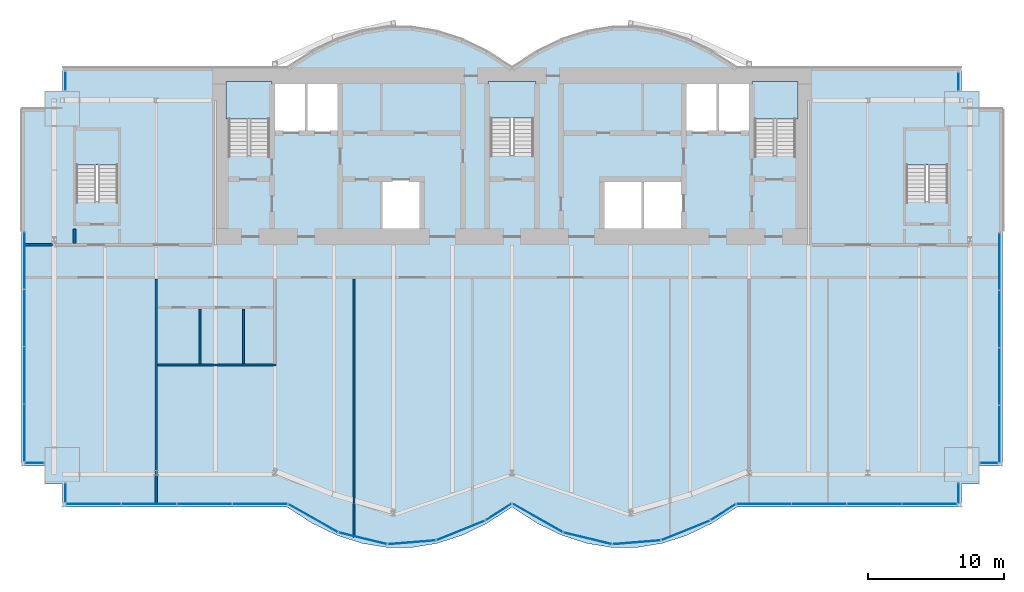
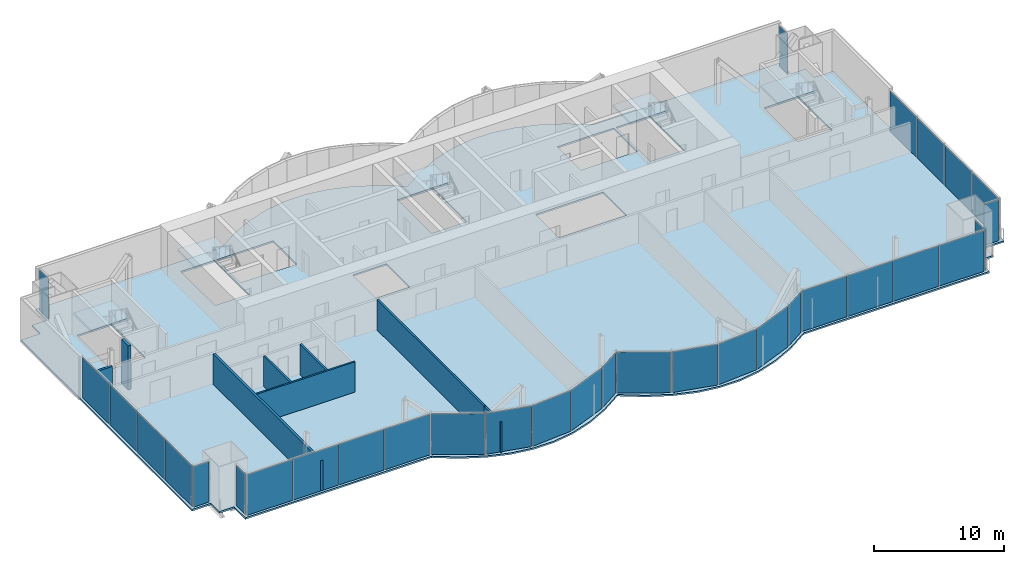
# One storey, part 13 of 20: 32 plates, 8 walls, 6 slabs, 17 elements without a shape of their own.
"""IFC4 building model written with IfcOpenShell, lengths in metres."""

from ifc_helpers import new_model, si_unit, direction, frame, frame_2d, origin, origin_2d, place, context, subcontext, project, spatial, polyline, rectangle, outline, extrude, material, layer, layer_set, type_object, element, aggregate, save


model = new_model("IFC4")

# Units and contexts
model_context = context("Model", 3, precision=1e-05, world=origin(), true_north=direction((0.0, 1.0)))
body_context = subcontext(model_context, "Body", "Model", "MODEL_VIEW")
ifc_project = project(units=[si_unit("LENGTHUNIT", "METRE"), si_unit("AREAUNIT", "SQUARE_METRE"), si_unit("VOLUMEUNIT", "CUBIC_METRE"), si_unit("PLANEANGLEUNIT", "RADIAN"), si_unit("MASSUNIT", "GRAM", prefix="KILO")], contexts=[model_context])

# Site, building, storey
site_placement = place(None, origin())
site = spatial("IfcSite", under=ifc_project, at=site_placement, CompositionType="ELEMENT")
building_placement = place(site_placement, origin())
building = spatial("IfcBuilding", under=site, at=building_placement, Name="Bicima Exchange Tower", CompositionType="ELEMENT")
storey_placement = place(building_placement, frame((0.0, 0.0, 207.300048828125)))
storey = spatial("IfcBuildingStorey", under=building, at=storey_placement, Name="L46", CompositionType="ELEMENT", Elevation=207.300048828125)

# Slab
ifc_material_1 = material(Name="Concrete C40/50", Category="concrete")
ifc_layer_1 = layer(ifc_material_1, 0.14990234375)
ifc_layer_set_1 = layer_set([ifc_layer_1], Name="Concrete C40/50")
slab_type_1 = type_object("IfcSlabType", Name="Composite floor slab 150", PredefinedType="FLOOR", material=ifc_layer_set_1)
slab_1_placement = place(storey_placement, frame((0.0, 0.0, -0.150146484375)))
element("IfcSlab", 1, at=slab_1_placement, inside=storey, type_object=slab_type_1, Name="Floor slab", PredefinedType="FLOOR", context=body_context, shape_type="SweptSolid", body=[
    extrude(outline(polyline([(-36.0, -29.239990234375), (-36.0, -3.0), (-34.300048828125, -3.0), (-34.300048828125, -1.699951171875), (-33.0, -1.699951171875), (-33.0, 0.0), (-16.5, 0.0), (-14.666748046875, 1.185302734375), (-12.833251953125, 2.07421875), (-11.0, 2.666748046875), (-9.166748046875, 2.962890625), (-7.333251953125, 2.962890625), (-5.5, 2.666748046875), (-3.666748046875, 2.07421875), (-1.833251953125, 1.185302734375), (0.0, 0.0), (1.833251953125, 1.185302734375), (3.666748046875, 2.07421875), (5.5, 2.666748046875), (7.333251953125, 2.962890625), (9.166748046875, 2.962890625), (11.0, 2.666748046875), (12.833251953125, 2.07421875), (14.666748046875, 1.185302734375), (16.5, 0.0), (33.0, 0.0), (33.0, -1.699951171875), (34.300048828125, -1.699951171875), (34.300048828125, -3.0), (36.0, -3.0), (36.0, -29.239990234375), (34.300048828125, -29.239990234375), (34.300048828125, -30.5400390625), (33.0, -30.5400390625), (33.0, -32.239990234375), (16.5, -32.239990234375), (14.666748046875, -33.42529296875), (12.833251953125, -34.314208984375), (11.0, -34.90673828125), (9.166748046875, -35.202880859375), (7.333251953125, -35.202880859375), (5.5, -34.90673828125), (3.666748046875, -34.314208984375), (1.833251953125, -33.42529296875), (0.0, -32.239990234375), (-1.833251953125, -33.42529296875), (-3.666748046875, -34.314208984375), (-5.5, -34.90673828125), (-7.333251953125, -35.202880859375), (-9.166748046875, -35.202880859375), (-11.0, -34.90673828125), (-12.833251953125, -34.314208984375), (-14.666748046875, -33.42529296875), (-16.5, -32.239990234375), (-33.0, -32.239990234375), (-33.0, -30.5400390625), (-34.300048828125, -30.5400390625), (-34.300048828125, -29.239990234375), (-36.0, -29.239990234375)]), holes=[polyline([(-6.60009765625, -11.800048828125), (-6.60009765625, -8.199951171875), (-9.60009765625, -8.199951171875), (-9.60009765625, -11.800048828125), (-6.60009765625, -11.800048828125)]), polyline([(-31.97509765625, -9.824951171875), (-28.925048828125, -9.824951171875), (-28.925048828125, -4.625), (-31.97509765625, -4.625), (-31.97509765625, -9.824951171875)]), polyline([(-20.800048828125, -6.449951171875), (-17.800048828125, -6.449951171875), (-17.800048828125, -1.199951171875), (-20.800048828125, -1.199951171875), (-20.800048828125, -6.449951171875)]), polyline([(1.574951171875, -6.39990234375), (1.574951171875, -1.199951171875), (-1.574951171875, -1.199951171875), (-1.574951171875, -6.39990234375), (1.574951171875, -6.39990234375)]), polyline([(-12.60009765625, -4.800048828125), (-12.60009765625, -1.199951171875), (-15.10009765625, -1.199951171875), (-17.60009765625, -1.199951171875), (-17.60009765625, -4.800048828125), (-15.10009765625, -4.800048828125), (-12.60009765625, -4.800048828125)]), polyline([(12.60009765625, -8.199951171875), (9.60009765625, -8.199951171875), (6.60009765625, -8.199951171875), (6.60009765625, -11.800048828125), (9.60009765625, -11.800048828125), (12.60009765625, -11.800048828125), (12.60009765625, -8.199951171875)]), polyline([(28.925048828125, -9.824951171875), (31.97509765625, -9.824951171875), (31.97509765625, -4.625), (28.925048828125, -4.625), (28.925048828125, -9.824951171875)]), polyline([(20.800048828125, -6.449951171875), (20.800048828125, -1.199951171875), (17.800048828125, -1.199951171875), (17.800048828125, -6.449951171875), (20.800048828125, -6.449951171875)]), polyline([(17.60009765625, -4.800048828125), (17.60009765625, -1.199951171875), (15.10009765625, -1.199951171875), (12.60009765625, -1.199951171875), (12.60009765625, -4.800048828125), (15.10009765625, -4.800048828125), (17.60009765625, -4.800048828125)])]), origin(), (0.0, 0.0, 1.0), 0.150146484375),
])

# Curtain wall, plate
ifc_material_2 = material(Name="Anodised bronze aluminium", Category="aluminium")
curtain_wall_type_1 = type_object("IfcCurtainWallType", Name="End face glass wall", PredefinedType="NOTDEFINED", material=ifc_material_2)
curtain_wall_1_placement = place(storey_placement, origin())
curtain_wall_1 = element("IfcCurtainWall", 2, at=curtain_wall_1_placement, inside=storey, type_object=curtain_wall_type_1, Name="End face glass wall L46 run 2", PredefinedType="NOTDEFINED")
ifc_material_3 = material(Name="Bronze tinted glass", Category="glass")
ifc_layer_2 = layer(ifc_material_3, 0.031982421875)
ifc_layer_set_2 = layer_set([ifc_layer_2], Name="Bronze tinted glass")
plate_type_1 = type_object("IfcPlateType", Name="End face glass wall glass panel 32", PredefinedType="CURTAIN_PANEL", material=ifc_layer_set_2)
plate_1_placement = place(storey_placement, frame((-35.77001953125, -26.791259765625, 0.0), z_axis=(0.0, 0.0, 1.0), x_axis=(0.0, -1.0, 0.0)))
plate_1 = element("IfcPlate", 3, at=plate_1_placement, type_object=plate_type_1, Name="End face glass wall panel 4.1", PredefinedType="CURTAIN_PANEL", context=body_context, shape_type="SweptSolid", body=[
    extrude(rectangle(XDim=4.157470703125, YDim=0.031982421875, at=origin_2d()), origin(), (0.0, 0.0, 1.0), 3.81005859375),
])

curtain_wall_2_placement = place(storey_placement, origin())
curtain_wall_2 = element("IfcCurtainWall", 4, at=curtain_wall_2_placement, inside=storey, type_object=curtain_wall_type_1, Name="End face glass wall L46 run 19", PredefinedType="NOTDEFINED")
plate_2_placement = place(storey_placement, frame((35.77001953125, -26.871337890625, 0.0), z_axis=(0.0, 0.0, 1.0), x_axis=(0.0, 1.0, 0.0)))
plate_2 = element("IfcPlate", 5, at=plate_2_placement, type_object=plate_type_1, Name="End face glass wall panel 1.1", PredefinedType="CURTAIN_PANEL", context=body_context, shape_type="SweptSolid", body=[
    extrude(rectangle(XDim=4.157470703125, YDim=0.031982421875, at=origin_2d()), origin(), (0.0, 0.0, 1.0), 3.81005859375),
])

# Plate
ifc_material_4 = material(Name="Bronze anodised aluminium", Category="aluminium")
ifc_layer_3 = layer(ifc_material_4, 0.031982421875)
ifc_layer_set_3 = layer_set([ifc_layer_3], Name="Bronze anodised aluminium")
plate_type_2 = type_object("IfcPlateType", Name="End face glass wall spandrel panel 32", PredefinedType="CURTAIN_PANEL", material=ifc_layer_set_3)
plate_3_placement = place(storey_placement, frame((-35.77001953125, -14.138671875, 0.0), z_axis=(0.0, 0.0, 1.0), x_axis=(0.0, -1.0, 0.0)))
plate_3 = element("IfcPlate", 6, at=plate_3_placement, type_object=plate_type_2, Name="End face spandrel wall panel 1.1", PredefinedType="CURTAIN_PANEL", context=body_context, shape_type="SweptSolid", body=[
    extrude(rectangle(XDim=4.157470703125, YDim=0.031982421875, at=origin_2d()), origin(), (0.0, 0.0, 1.0), 3.81005859375),
])

plate_4_placement = place(storey_placement, frame((-35.77001953125, -18.356201171875, 0.0), z_axis=(0.0, 0.0, 1.0), x_axis=(0.0, -1.0, 0.0)))
plate_4 = element("IfcPlate", 7, at=plate_4_placement, type_object=plate_type_2, Name="End face spandrel wall panel 2.1", PredefinedType="CURTAIN_PANEL", context=body_context, shape_type="SweptSolid", body=[
    extrude(rectangle(XDim=4.157470703125, YDim=0.031982421875, at=origin_2d()), origin(), (0.0, 0.0, 1.0), 3.81005859375),
])

plate_5_placement = place(storey_placement, frame((-35.77001953125, -22.57373046875, 0.0), z_axis=(0.0, 0.0, 1.0), x_axis=(0.0, -1.0, 0.0)))
plate_5 = element("IfcPlate", 8, at=plate_5_placement, type_object=plate_type_2, Name="End face spandrel wall panel 3.1", PredefinedType="CURTAIN_PANEL", context=body_context, shape_type="SweptSolid", body=[
    extrude(rectangle(XDim=4.157470703125, YDim=0.031982421875, at=origin_2d()), origin(), (0.0, 0.0, 1.0), 3.81005859375),
])

aggregate(curtain_wall_1, [plate_3, plate_4, plate_5, plate_1])

plate_6_placement = place(storey_placement, frame((35.77001953125, -22.65380859375, 0.0), z_axis=(0.0, 0.0, 1.0), x_axis=(0.0, 1.0, 0.0)))
plate_6 = element("IfcPlate", 9, at=plate_6_placement, type_object=plate_type_2, Name="End face spandrel wall panel 2.1", PredefinedType="CURTAIN_PANEL", context=body_context, shape_type="SweptSolid", body=[
    extrude(rectangle(XDim=4.157470703125, YDim=0.031982421875, at=origin_2d()), origin(), (0.0, 0.0, 1.0), 3.81005859375),
])

plate_7_placement = place(storey_placement, frame((35.77001953125, -18.436279296875, 0.0), z_axis=(0.0, 0.0, 1.0), x_axis=(0.0, 1.0, 0.0)))
plate_7 = element("IfcPlate", 10, at=plate_7_placement, type_object=plate_type_2, Name="End face spandrel wall panel 3.1", PredefinedType="CURTAIN_PANEL", context=body_context, shape_type="SweptSolid", body=[
    extrude(rectangle(XDim=4.157470703125, YDim=0.031982421875, at=origin_2d()), origin(), (0.0, 0.0, 1.0), 3.81005859375),
])

plate_8_placement = place(storey_placement, frame((35.77001953125, -14.21875, 0.0), z_axis=(0.0, 0.0, 1.0), x_axis=(0.0, 1.0, 0.0)))
plate_8 = element("IfcPlate", 11, at=plate_8_placement, type_object=plate_type_2, Name="End face spandrel wall panel 4.1", PredefinedType="CURTAIN_PANEL", context=body_context, shape_type="SweptSolid", body=[
    extrude(rectangle(XDim=4.157470703125, YDim=0.031982421875, at=origin_2d()), origin(), (0.0, 0.0, 1.0), 3.81005859375),
])

aggregate(curtain_wall_2, [plate_2, plate_6, plate_7, plate_8])

# Curtain wall, plate
curtain_wall_type_2 = type_object("IfcCurtainWallType", Name="Front glass wall", PredefinedType="NOTDEFINED", material=ifc_material_2)
curtain_wall_3_placement = place(storey_placement, origin())
curtain_wall_3 = element("IfcCurtainWall", 12, at=curtain_wall_3_placement, inside=storey, type_object=curtain_wall_type_2, Name="Front glass wall L46 run 1", PredefinedType="NOTDEFINED")
ifc_layer_4 = layer(ifc_material_3, 0.031982421875)
ifc_layer_set_4 = layer_set([ifc_layer_4], Name="Bronze tinted glass")
plate_type_3 = type_object("IfcPlateType", Name="Front glass wall glass panel 32", PredefinedType="CURTAIN_PANEL", material=ifc_layer_set_4)
plate_9_placement = place(storey_placement, frame((-32.77001953125, -0.965087890625, 0.0), z_axis=(0.0, 0.0, 1.0), x_axis=(0.0, -1.0, 0.0)))
plate_9 = element("IfcPlate", 13, at=plate_9_placement, type_object=plate_type_3, Name="Front glass wall panel 1.1", PredefinedType="CURTAIN_PANEL", context=body_context, shape_type="SweptSolid", body=[
    extrude(rectangle(XDim=1.35009765625, YDim=0.031982421875, at=origin_2d()), origin(), (0.0, 0.0, 1.0), 3.81005859375),
])
aggregate(curtain_wall_3, [plate_9])

curtain_wall_4_placement = place(storey_placement, origin())
curtain_wall_4 = element("IfcCurtainWall", 14, at=curtain_wall_4_placement, inside=storey, type_object=curtain_wall_type_2, Name="Front glass wall L46 run 3", PredefinedType="NOTDEFINED")
plate_10_placement = place(storey_placement, frame((-35.034912109375, -29.010009765625, 0.0), z_axis=(0.0, 0.0, 1.0), x_axis=(1.0, 0.0, 0.0)))
plate_10 = element("IfcPlate", 15, at=plate_10_placement, type_object=plate_type_3, Name="Front glass wall panel 1.1", PredefinedType="CURTAIN_PANEL", context=body_context, shape_type="SweptSolid", body=[
    extrude(rectangle(XDim=1.35009765625, YDim=0.031982421875, at=origin_2d()), origin(), (0.0, 0.0, 1.0), 3.81005859375),
])
aggregate(curtain_wall_4, [plate_10])

curtain_wall_5_placement = place(storey_placement, origin())
curtain_wall_5 = element("IfcCurtainWall", 16, at=curtain_wall_5_placement, inside=storey, type_object=curtain_wall_type_2, Name="Front glass wall L46 run 4", PredefinedType="NOTDEFINED")
plate_11_placement = place(storey_placement, frame((-32.77001953125, -31.174072265625, 0.0), z_axis=(0.0, 0.0, 1.0), x_axis=(0.0, -1.0, 0.0)))
plate_11 = element("IfcPlate", 17, at=plate_11_placement, type_object=plate_type_3, Name="Front glass wall panel 1.1", PredefinedType="CURTAIN_PANEL", context=body_context, shape_type="SweptSolid", body=[
    extrude(rectangle(XDim=1.39208984375, YDim=0.031982421875, at=origin_2d()), origin(), (0.0, 0.0, 1.0), 3.81005859375),
])
aggregate(curtain_wall_5, [plate_11])

# Curtain wall, plates
curtain_wall_6_placement = place(storey_placement, origin())
curtain_wall_6 = element("IfcCurtainWall", 18, at=curtain_wall_6_placement, inside=storey, type_object=curtain_wall_type_2, Name="Front glass wall L46 run 5", PredefinedType="NOTDEFINED")
plate_12_placement = place(storey_placement, frame((-30.705322265625, -32.010009765625, 0.0), z_axis=(0.0, 0.0, 1.0), x_axis=(1.0, 0.0, 0.0)))
plate_12 = element("IfcPlate", 19, at=plate_12_placement, type_object=plate_type_3, Name="Front glass wall panel 1.1", PredefinedType="CURTAIN_PANEL", context=body_context, shape_type="SweptSolid", body=[
    extrude(rectangle(XDim=4.009521484375, YDim=0.031982421875, at=origin_2d()), origin(), (0.0, 0.0, 1.0), 3.81005859375),
])
plate_13_placement = place(storey_placement, frame((-26.6357421875, -32.010009765625, 0.0), z_axis=(0.0, 0.0, 1.0), x_axis=(1.0, 0.0, 0.0)))
plate_13 = element("IfcPlate", 20, at=plate_13_placement, type_object=plate_type_3, Name="Front glass wall panel 2.1", PredefinedType="CURTAIN_PANEL", context=body_context, shape_type="SweptSolid", body=[
    extrude(rectangle(XDim=4.009521484375, YDim=0.031982421875, at=origin_2d()), origin(), (0.0, 0.0, 1.0), 3.81005859375),
])

curtain_wall_7_placement = place(storey_placement, origin())
curtain_wall_7 = element("IfcCurtainWall", 21, at=curtain_wall_7_placement, inside=storey, type_object=curtain_wall_type_2, Name="Front glass wall L46 run 6", PredefinedType="NOTDEFINED")
plate_14_placement = place(storey_placement, frame((-7.35107421875, -34.82763671875, 0.0), z_axis=(0.0, 0.0, 1.0), x_axis=(0.99674744821, 0.080588612633, 0.0)))
plate_14 = element("IfcPlate", 22, at=plate_14_placement, type_object=plate_type_3, Name="Front glass wall panel 1.1", PredefinedType="CURTAIN_PANEL", context=body_context, shape_type="SweptSolid", body=[
    extrude(rectangle(XDim=3.486083984375, YDim=0.031982421875, at=origin_2d()), origin(), (0.0, 0.0, 1.0), 3.81005859375),
])
plate_15_placement = place(storey_placement, frame((-3.750244140625, -33.953369140625, 0.0), z_axis=(0.0, 0.0, 1.0), x_axis=(0.92714396679, 0.374705304, 0.0)))
plate_15 = element("IfcPlate", 23, at=plate_15_placement, type_object=plate_type_3, Name="Front glass wall panel 1.1", PredefinedType="CURTAIN_PANEL", context=body_context, shape_type="SweptSolid", body=[
    extrude(rectangle(XDim=3.771240234375, YDim=0.031982421875, at=origin_2d()), origin(), (0.0, 0.0, 1.0), 3.81005859375),
])
plate_16_placement = place(storey_placement, frame((-0.97314453125, -32.59521484375, 0.0), z_axis=(0.0, 0.0, 1.0), x_axis=(0.839798994301, 0.542897457326, 0.0)))
plate_16 = element("IfcPlate", 24, at=plate_16_placement, type_object=plate_type_3, Name="Front glass wall panel 1.1", PredefinedType="CURTAIN_PANEL", context=body_context, shape_type="SweptSolid", body=[
    extrude(rectangle(XDim=2.197509765625, YDim=0.031982421875, at=origin_2d()), origin(), (0.0, 0.0, 1.0), 3.81005859375),
])

curtain_wall_8_placement = place(storey_placement, origin())
curtain_wall_8 = element("IfcCurtainWall", 25, at=curtain_wall_8_placement, inside=storey, type_object=curtain_wall_type_2, Name="Front glass wall L46 run 11", PredefinedType="NOTDEFINED")
plate_17_placement = place(storey_placement, frame((1.876220703125, -33.033203125, 0.0), z_axis=(0.0, 0.0, 1.0), x_axis=(0.869274147378, -0.494330311331, 0.0)))
plate_17 = element("IfcPlate", 26, at=plate_17_placement, type_object=plate_type_3, Name="Front glass wall panel 1.1", PredefinedType="CURTAIN_PANEL", context=body_context, shape_type="SweptSolid", body=[
    extrude(rectangle(XDim=4.197021484375, YDim=0.031982421875, at=origin_2d()), origin(), (0.0, 0.0, 1.0), 3.81005859375),
])
plate_18_placement = place(storey_placement, frame((5.55224609375, -34.53662109375, 0.0), z_axis=(0.0, 0.0, 1.0), x_axis=(0.971830343553, -0.235681529503, 0.0)))
plate_18 = element("IfcPlate", 27, at=plate_18_placement, type_object=plate_type_3, Name="Front glass wall panel 1.1", PredefinedType="CURTAIN_PANEL", context=body_context, shape_type="SweptSolid", body=[
    extrude(rectangle(XDim=3.583251953125, YDim=0.031982421875, at=origin_2d()), origin(), (0.0, 0.0, 1.0), 3.81005859375),
])
plate_19_placement = place(storey_placement, frame((9.14892578125, -34.82763671875, 0.0), z_axis=(0.0, 0.0, 1.0), x_axis=(0.99674744821, 0.080588612633, 0.0)))
plate_19 = element("IfcPlate", 28, at=plate_19_placement, type_object=plate_type_3, Name="Front glass wall panel 1.1", PredefinedType="CURTAIN_PANEL", context=body_context, shape_type="SweptSolid", body=[
    extrude(rectangle(XDim=3.486083984375, YDim=0.031982421875, at=origin_2d()), origin(), (0.0, 0.0, 1.0), 3.81005859375),
])
plate_20_placement = place(storey_placement, frame((15.492919921875, -32.6171875, 0.0), z_axis=(0.0, 0.0, 1.0), x_axis=(0.839791413941, 0.542909183079, 0.0)))
plate_20 = element("IfcPlate", 29, at=plate_20_placement, type_object=plate_type_3, Name="Front glass wall panel 1.1", PredefinedType="CURTAIN_PANEL", context=body_context, shape_type="SweptSolid", body=[
    extrude(rectangle(XDim=2.11669921875, YDim=0.031982421875, at=origin_2d()), origin(), (0.0, 0.0, 1.0), 3.81005859375),
])

curtain_wall_9_placement = place(storey_placement, origin())
curtain_wall_9 = element("IfcCurtainWall", 30, at=curtain_wall_9_placement, inside=storey, type_object=curtain_wall_type_2, Name="Front glass wall L46 run 16", PredefinedType="NOTDEFINED")
plate_21_placement = place(storey_placement, frame((26.585693359375, -32.010009765625, 0.0), z_axis=(0.0, 0.0, 1.0), x_axis=(1.0, 0.0, 0.0)))
plate_21 = element("IfcPlate", 31, at=plate_21_placement, type_object=plate_type_3, Name="Front glass wall panel 3.1", PredefinedType="CURTAIN_PANEL", context=body_context, shape_type="SweptSolid", body=[
    extrude(rectangle(XDim=3.989501953125, YDim=0.031982421875, at=origin_2d()), origin(), (0.0, 0.0, 1.0), 3.81005859375),
])
plate_22_placement = place(storey_placement, frame((30.63525390625, -32.010009765625, 0.0), z_axis=(0.0, 0.0, 1.0), x_axis=(1.0, 0.0, 0.0)))
plate_22 = element("IfcPlate", 32, at=plate_22_placement, type_object=plate_type_3, Name="Front glass wall panel 4.1", PredefinedType="CURTAIN_PANEL", context=body_context, shape_type="SweptSolid", body=[
    extrude(rectangle(XDim=3.989501953125, YDim=0.031982421875, at=origin_2d()), origin(), (0.0, 0.0, 1.0), 3.81005859375),
])

# Curtain wall, plate
curtain_wall_10_placement = place(storey_placement, origin())
curtain_wall_10 = element("IfcCurtainWall", 33, at=curtain_wall_10_placement, inside=storey, type_object=curtain_wall_type_2, Name="Front glass wall L46 run 17", PredefinedType="NOTDEFINED")
plate_23_placement = place(storey_placement, frame((32.77001953125, -31.214111328125, 0.0), z_axis=(0.0, 0.0, 1.0), x_axis=(0.0, 1.0, 0.0)))
plate_23 = element("IfcPlate", 34, at=plate_23_placement, type_object=plate_type_3, Name="Front glass wall panel 1.1", PredefinedType="CURTAIN_PANEL", context=body_context, shape_type="SweptSolid", body=[
    extrude(rectangle(XDim=1.471923828125, YDim=0.031982421875, at=origin_2d()), origin(), (0.0, 0.0, 1.0), 3.81005859375),
])
aggregate(curtain_wall_10, [plate_23])

curtain_wall_11_placement = place(storey_placement, origin())
curtain_wall_11 = element("IfcCurtainWall", 35, at=curtain_wall_11_placement, inside=storey, type_object=curtain_wall_type_2, Name="Front glass wall L46 run 18", PredefinedType="NOTDEFINED")
plate_24_placement = place(storey_placement, frame((34.9951171875, -29.010009765625, 0.0), z_axis=(0.0, 0.0, 1.0), x_axis=(1.0, 0.0, 0.0)))
plate_24 = element("IfcPlate", 36, at=plate_24_placement, type_object=plate_type_3, Name="Front glass wall panel 1.1", PredefinedType="CURTAIN_PANEL", context=body_context, shape_type="SweptSolid", body=[
    extrude(rectangle(XDim=1.27001953125, YDim=0.031982421875, at=origin_2d()), origin(), (0.0, 0.0, 1.0), 3.81005859375),
])
aggregate(curtain_wall_11, [plate_24])

curtain_wall_12_placement = place(storey_placement, origin())
curtain_wall_12 = element("IfcCurtainWall", 37, at=curtain_wall_12_placement, inside=storey, type_object=curtain_wall_type_2, Name="Front glass wall L46 run 20", PredefinedType="NOTDEFINED")
plate_25_placement = place(storey_placement, frame((32.77001953125, -1.0048828125, 0.0), z_axis=(0.0, 0.0, 1.0), x_axis=(0.0, 1.0, 0.0)))
plate_25 = element("IfcPlate", 38, at=plate_25_placement, type_object=plate_type_3, Name="Front glass wall panel 1.1", PredefinedType="CURTAIN_PANEL", context=body_context, shape_type="SweptSolid", body=[
    extrude(rectangle(XDim=1.27001953125, YDim=0.031982421875, at=origin_2d()), origin(), (0.0, 0.0, 1.0), 3.81005859375),
])
aggregate(curtain_wall_12, [plate_25])

# Plate
ifc_layer_5 = layer(ifc_material_4, 0.031982421875)
ifc_layer_set_5 = layer_set([ifc_layer_5], Name="Bronze anodised aluminium")
plate_type_4 = type_object("IfcPlateType", Name="Front glass wall spandrel panel 32", PredefinedType="CURTAIN_PANEL", material=ifc_layer_set_5)
plate_26_placement = place(storey_placement, frame((-22.56640625, -32.010009765625, 0.0), z_axis=(0.0, 0.0, 1.0), x_axis=(1.0, 0.0, 0.0)))
plate_26 = element("IfcPlate", 39, at=plate_26_placement, type_object=plate_type_4, Name="Front spandrel wall panel 3.1", PredefinedType="CURTAIN_PANEL", context=body_context, shape_type="SweptSolid", body=[
    extrude(rectangle(XDim=4.009521484375, YDim=0.031982421875, at=origin_2d()), origin(), (0.0, 0.0, 1.0), 3.81005859375),
])

plate_27_placement = place(storey_placement, frame((-18.496826171875, -32.010009765625, 0.0), z_axis=(0.0, 0.0, 1.0), x_axis=(1.0, 0.0, 0.0)))
plate_27 = element("IfcPlate", 40, at=plate_27_placement, type_object=plate_type_4, Name="Front spandrel wall panel 4.1", PredefinedType="CURTAIN_PANEL", context=body_context, shape_type="SweptSolid", body=[
    extrude(rectangle(XDim=4.009521484375, YDim=0.031982421875, at=origin_2d()), origin(), (0.0, 0.0, 1.0), 3.81005859375),
])

aggregate(curtain_wall_6, [plate_12, plate_13, plate_26, plate_27])

plate_28_placement = place(storey_placement, frame((-14.589599609375, -33.05517578125, 0.0), z_axis=(0.0, 0.0, 1.0), x_axis=(0.869805110681, -0.493395449343, 0.0)))
plate_28 = element("IfcPlate", 41, at=plate_28_placement, type_object=plate_type_4, Name="Front spandrel wall panel 1.1", PredefinedType="CURTAIN_PANEL", context=body_context, shape_type="SweptSolid", body=[
    extrude(rectangle(XDim=4.1162109375, YDim=0.031982421875, at=origin_2d()), origin(), (0.0, 0.0, 1.0), 3.81005859375),
])

plate_29_placement = place(storey_placement, frame((-10.94775390625, -34.53662109375, 0.0), z_axis=(0.0, 0.0, 1.0), x_axis=(0.971830343553, -0.235681529503, 0.0)))
plate_29 = element("IfcPlate", 42, at=plate_29_placement, type_object=plate_type_4, Name="Front spandrel wall panel 1.1", PredefinedType="CURTAIN_PANEL", context=body_context, shape_type="SweptSolid", body=[
    extrude(rectangle(XDim=3.583251953125, YDim=0.031982421875, at=origin_2d()), origin(), (0.0, 0.0, 1.0), 3.81005859375),
])

aggregate(curtain_wall_7, [plate_28, plate_29, plate_14, plate_15, plate_16])

plate_30_placement = place(storey_placement, frame((12.749755859375, -33.953369140625, 0.0), z_axis=(0.0, 0.0, 1.0), x_axis=(0.92714396679, 0.374705304, 0.0)))
plate_30 = element("IfcPlate", 43, at=plate_30_placement, type_object=plate_type_4, Name="Front spandrel wall panel 1.1", PredefinedType="CURTAIN_PANEL", context=body_context, shape_type="SweptSolid", body=[
    extrude(rectangle(XDim=3.771240234375, YDim=0.031982421875, at=origin_2d()), origin(), (0.0, 0.0, 1.0), 3.81005859375),
])

aggregate(curtain_wall_8, [plate_17, plate_18, plate_19, plate_30, plate_20])

plate_31_placement = place(storey_placement, frame((18.48681640625, -32.010009765625, 0.0), z_axis=(0.0, 0.0, 1.0), x_axis=(1.0, 0.0, 0.0)))
plate_31 = element("IfcPlate", 44, at=plate_31_placement, type_object=plate_type_4, Name="Front spandrel wall panel 1.1", PredefinedType="CURTAIN_PANEL", context=body_context, shape_type="SweptSolid", body=[
    extrude(rectangle(XDim=3.989501953125, YDim=0.031982421875, at=origin_2d()), origin(), (0.0, 0.0, 1.0), 3.81005859375),
])

plate_32_placement = place(storey_placement, frame((22.536376953125, -32.010009765625, 0.0), z_axis=(0.0, 0.0, 1.0), x_axis=(1.0, 0.0, 0.0)))
plate_32 = element("IfcPlate", 45, at=plate_32_placement, type_object=plate_type_4, Name="Front spandrel wall panel 2.1", PredefinedType="CURTAIN_PANEL", context=body_context, shape_type="SweptSolid", body=[
    extrude(rectangle(XDim=3.989501953125, YDim=0.031982421875, at=origin_2d()), origin(), (0.0, 0.0, 1.0), 3.81005859375),
])

aggregate(curtain_wall_9, [plate_31, plate_32, plate_21, plate_22])

# Stair, slab
ifc_material_5 = material(Name="Concrete C50/60", Category="concrete")
stair_type_1 = type_object("IfcStairType", Name="Exit stair", PredefinedType="HALF_TURN_STAIR", material=ifc_material_5)
stair_1_placement = place(storey_placement, origin())
stair_1 = element("IfcStair", 46, at=stair_1_placement, inside=storey, type_object=stair_type_1, Name="L46 West exit stair", PredefinedType="HALF_TURN_STAIR")
ifc_layer_6 = layer(ifc_material_5, 0.199951171875)
ifc_layer_set_6 = layer_set([ifc_layer_6], Name="Concrete C50/60")
slab_type_2 = type_object("IfcSlabType", Name="Stair landing slab", PredefinedType="LANDING", material=ifc_layer_set_6)
slab_2_placement = place(storey_placement, frame((0.0, 0.0, 1.849853515625)))
slab_2 = element("IfcSlab", 47, at=slab_2_placement, type_object=slab_type_2, Name="ST-W landing 1", PredefinedType="LANDING", context=body_context, shape_type="SweptSolid", body=[
    extrude(outline(polyline([(-17.60009765625, -3.75), (-17.60009765625, -1.0), (-21.0, -1.0), (-21.0, -3.75), (-17.60009765625, -3.75)])), origin(), (0.0, 0.0, 1.0), 0.2001953125),
])
aggregate(stair_1, [slab_2])

stair_type_2 = type_object("IfcStairType", Name="Exit stair 1500", PredefinedType="HALF_TURN_STAIR", material=ifc_material_5)
stair_2_placement = place(storey_placement, origin())
stair_2 = element("IfcStair", 48, at=stair_2_placement, inside=storey, type_object=stair_type_2, Name="L46 Central exit stair", PredefinedType="HALF_TURN_STAIR")
slab_3_placement = place(storey_placement, frame((0.0, 0.0, 1.849853515625)))
slab_3 = element("IfcSlab", 49, at=slab_3_placement, type_object=slab_type_2, Name="ST-C landing 1", PredefinedType="LANDING", context=body_context, shape_type="SweptSolid", body=[
    extrude(outline(polyline([(1.77490234375, -3.699951171875), (1.77490234375, -1.0), (-1.77490234375, -1.0), (-1.77490234375, -3.699951171875), (1.77490234375, -3.699951171875)])), origin(), (0.0, 0.0, 1.0), 0.2001953125),
])
aggregate(stair_2, [slab_3])

stair_3_placement = place(storey_placement, origin())
stair_3 = element("IfcStair", 50, at=stair_3_placement, inside=storey, type_object=stair_type_1, Name="L46 East exit stair", PredefinedType="HALF_TURN_STAIR")
slab_4_placement = place(storey_placement, frame((0.0, 0.0, 1.849853515625)))
slab_4 = element("IfcSlab", 51, at=slab_4_placement, type_object=slab_type_2, Name="ST-E landing 1", PredefinedType="LANDING", context=body_context, shape_type="SweptSolid", body=[
    extrude(outline(polyline([(21.0, -3.75), (21.0, -1.0), (17.60009765625, -1.0), (17.60009765625, -3.75), (21.0, -3.75)])), origin(), (0.0, 0.0, 1.0), 0.2001953125),
])
aggregate(stair_3, [slab_4])

stair_4_placement = place(storey_placement, origin())
stair_4 = element("IfcStair", 52, at=stair_4_placement, inside=storey, type_object=stair_type_1, Name="L46 West end exit stair", PredefinedType="HALF_TURN_STAIR")
slab_5_placement = place(storey_placement, frame((0.0, 0.0, 1.849853515625)))
slab_5 = element("IfcSlab", 53, at=slab_5_placement, type_object=slab_type_2, Name="ST-WW landing 1", PredefinedType="LANDING", context=body_context, shape_type="SweptSolid", body=[
    extrude(outline(polyline([(-28.72509765625, -7.125), (-28.72509765625, -4.425048828125), (-32.175048828125, -4.425048828125), (-32.175048828125, -7.125), (-28.72509765625, -7.125)])), origin(), (0.0, 0.0, 1.0), 0.2001953125),
])
aggregate(stair_4, [slab_5])

stair_5_placement = place(storey_placement, origin())
stair_5 = element("IfcStair", 54, at=stair_5_placement, inside=storey, type_object=stair_type_1, Name="L46 East end exit stair", PredefinedType="HALF_TURN_STAIR")
slab_6_placement = place(storey_placement, frame((0.0, 0.0, 1.849853515625)))
slab_6 = element("IfcSlab", 55, at=slab_6_placement, type_object=slab_type_2, Name="ST-EE landing 1", PredefinedType="LANDING", context=body_context, shape_type="SweptSolid", body=[
    extrude(outline(polyline([(32.175048828125, -7.125), (32.175048828125, -4.425048828125), (28.72509765625, -4.425048828125), (28.72509765625, -7.125), (32.175048828125, -7.125)])), origin(), (0.0, 0.0, 1.0), 0.2001953125),
])
aggregate(stair_5, [slab_6])

# Walls
ifc_material_6 = material(Name="Gypsum board partition")
ifc_layer_7 = layer(ifc_material_6, 0.199951171875)
ifc_layer_set_7 = layer_set([ifc_layer_7], Name="Gypsum board partition")
wall_type_1 = type_object("IfcWallType", Name="Fire-rated gypsum partition 200 EI60", PredefinedType="PARTITIONING", material=ifc_layer_set_7)
wall_1_placement = place(storey_placement, frame((-35.679931640625, -13.0, 0.0), z_axis=(0.0, 0.0, 1.0), x_axis=(1.0, 0.0, 0.0)))
element("IfcWall", 56, at=wall_1_placement, inside=storey, type_object=wall_type_1, Name="partition wall 4", PredefinedType="PARTITIONING", context=body_context, shape_type="SweptSolid", body=[
    extrude(rectangle(XDim=1.9599609375, YDim=0.199951171875, at=frame_2d((0.97998046875, 0.0))), origin(), (0.0, 0.0, 1.0), 2.84033203125),
])
wall_2_placement = place(storey_placement, frame((-26.10009765625, -32.030029296875, 0.0), z_axis=(0.0, 0.0, 1.0), x_axis=(0.0, 1.0, 0.0)))
element("IfcWall", 57, at=wall_2_placement, inside=storey, type_object=wall_type_1, Name="partition wall 14", PredefinedType="PARTITIONING", context=body_context, shape_type="SweptSolid", body=[
    extrude(rectangle(XDim=16.530029296875, YDim=0.199951171875, at=frame_2d((8.26513671875, 0.0))), origin(), (0.0, 0.0, 1.0), 2.84033203125),
])
ifc_layer_8 = layer(ifc_material_6, 0.14990234375)
ifc_layer_set_8 = layer_set([ifc_layer_8], Name="Gypsum board partition")
wall_type_2 = type_object("IfcWallType", Name="Gypsum partition 150", PredefinedType="PARTITIONING", material=ifc_layer_set_8)
wall_3_placement = place(storey_placement, frame((-26.0, -21.800048828125, 0.0), z_axis=(0.0, 0.0, 1.0), x_axis=(1.0, 0.0, 0.0)))
element("IfcWall", 58, at=wall_3_placement, inside=storey, type_object=wall_type_2, Name="partition wall 1", PredefinedType="PARTITIONING", context=body_context, shape_type="SweptSolid", body=[
    extrude(rectangle(XDim=8.699951171875, YDim=0.14990234375, at=frame_2d((4.35009765625, 0.0))), origin(), (0.0, 0.0, 1.0), 2.84033203125),
])
for number, where, z_axis, x_axis, name in (
    (59, (-22.89990234375, -21.72509765625, 0.0), (0.0, 0.0, 1.0), (0.0, 1.0, 0.0), "partition wall 15"),
    (60, (-19.699951171875, -21.72509765625, 0.0), (0.0, 0.0, 1.0), (0.0, 1.0, 0.0), "partition wall 16"),
):
    element("IfcWall", number, at=place(storey_placement, frame(where, z_axis=z_axis, x_axis=x_axis)), inside=storey, type_object=wall_type_2, Name=name, PredefinedType="PARTITIONING", context=body_context, shape_type="SweptSolid", body=[
        extrude(rectangle(XDim=4.025146484375, YDim=0.14990234375, at=frame_2d((2.0126953125, 0.0))), origin(), (0.0, 0.0, 1.0), 2.84033203125),
    ])
wall_4_placement = place(storey_placement, frame((-11.60009765625, -34.489990234375, 0.0), z_axis=(0.0, 0.0, 1.0), x_axis=(0.0, 1.0, 0.0)))
element("IfcWall", 61, at=wall_4_placement, inside=storey, type_object=wall_type_2, Name="partition wall 18", PredefinedType="PARTITIONING", context=body_context, shape_type="SweptSolid", body=[
    extrude(rectangle(XDim=2.5, YDim=0.14990234375, at=frame_2d((1.25, 0.0))), origin(), (0.0, 0.0, 1.0), 2.84033203125),
])
wall_5_placement = place(storey_placement, frame((-11.60009765625, -31.927001953125, 0.0), z_axis=(0.0, 0.0, 1.0), x_axis=(0.0, 1.0, 0.0)))
element("IfcWall", 62, at=wall_5_placement, inside=storey, type_object=wall_type_2, Name="partition wall 19", PredefinedType="PARTITIONING", context=body_context, shape_type="SweptSolid", body=[
    extrude(rectangle(XDim=16.427001953125, YDim=0.14990234375, at=frame_2d((8.21337890625, 0.0))), origin(), (0.0, 0.0, 1.0), 2.84033203125),
])
ifc_layer_9 = layer(ifc_material_5, 0.25)
ifc_layer_set_9 = layer_set([ifc_layer_9], Name="Concrete C50/60")
wall_type_3 = type_object("IfcWallType", Name="RC core wall 250 C50/60", PredefinedType="SHEAR", material=ifc_layer_set_9)
wall_6_placement = place(storey_placement, frame((-32.10009765625, -12.89990234375, 0.0), z_axis=(0.0, 0.0, 1.0), x_axis=(0.0, 1.0, 0.0)))
element("IfcWall", 63, at=wall_6_placement, inside=storey, type_object=wall_type_3, Name="stair wall 12", PredefinedType="SHEAR", context=body_context, shape_type="SweptSolid", body=[
    extrude(rectangle(XDim=1.0498046875, YDim=0.25, at=frame_2d((0.52490234375, 0.0))), origin(), (0.0, 0.0, 1.0), 4.099853515625),
])

save(model, "model.ifc")
